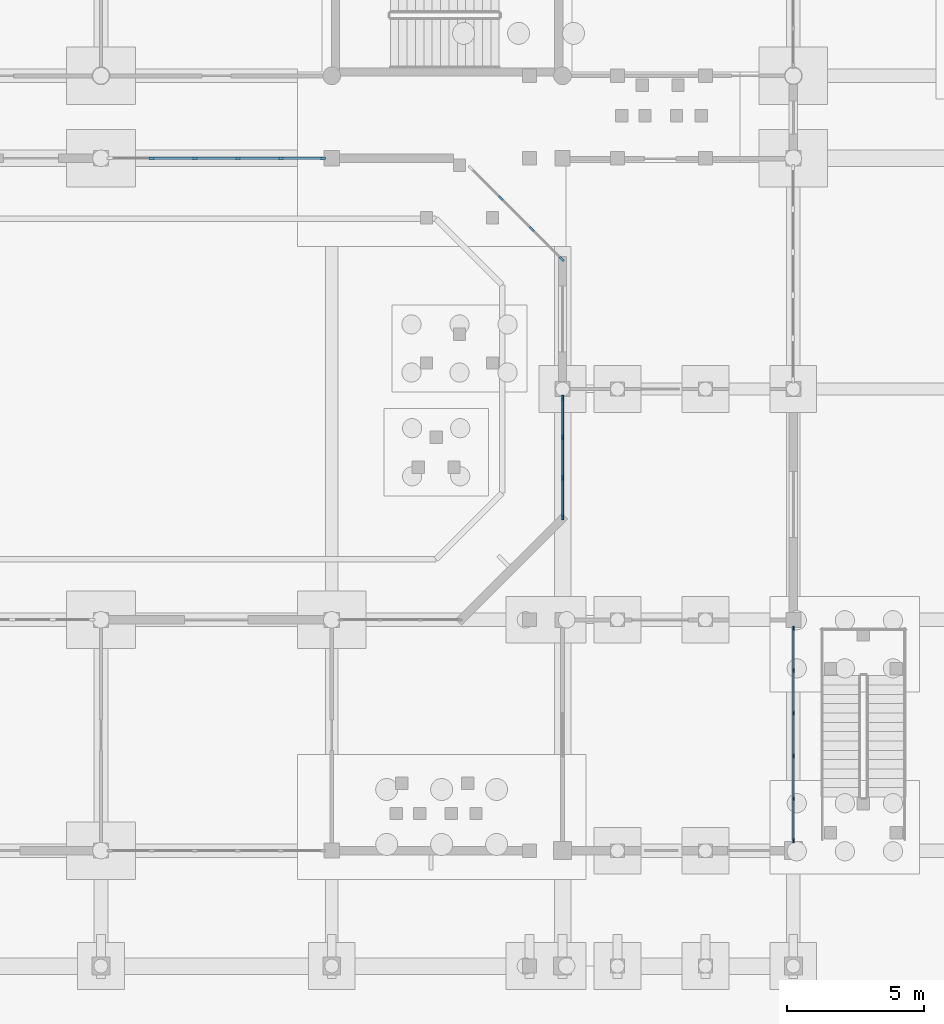
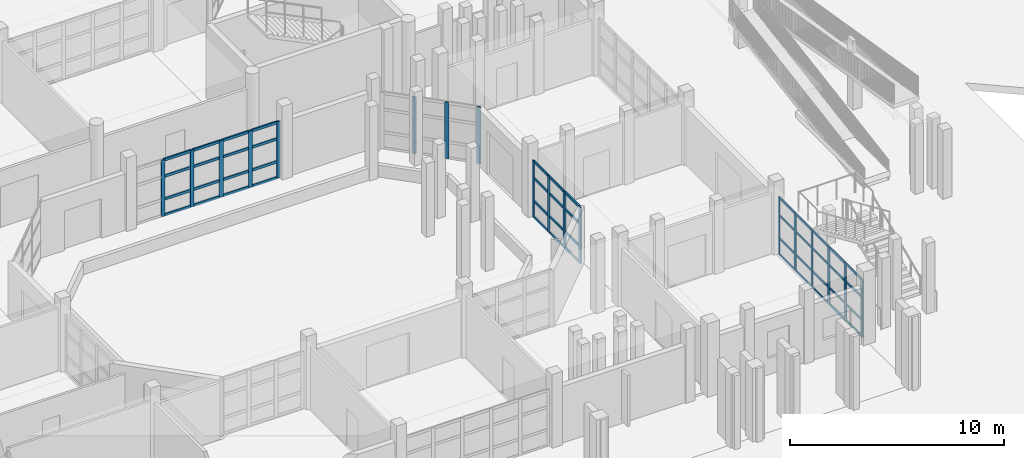
# One storey, part 23 of 88: 66 members, 4 elements without a shape of their own.
"""IFC4 building model written with IfcOpenShell, lengths in metres."""

from ifc_helpers import new_model, si_unit, direction, frame, origin, origin_2d, place, context, subcontext, project, spatial, rectangle, extrude, material, material_profile, profile_set, type_object, element, aggregate, save


model = new_model("IFC4")

# Units and contexts
model_context = context("Model", 3, precision=1e-05, world=origin(), true_north=direction((0.0, 1.0)))
body_context = subcontext(model_context, "Body", "Model", "MODEL_VIEW")
ifc_project = project(units=[si_unit("LENGTHUNIT", "METRE"), si_unit("AREAUNIT", "SQUARE_METRE"), si_unit("VOLUMEUNIT", "CUBIC_METRE"), si_unit("PLANEANGLEUNIT", "RADIAN"), si_unit("MASSUNIT", "GRAM", prefix="KILO")], contexts=[model_context])

# Site, building, storey
site_placement = place(None, origin())
site = spatial("IfcSite", under=ifc_project, at=site_placement, CompositionType="ELEMENT")
building_placement = place(site_placement, origin())
building = spatial("IfcBuilding", under=site, at=building_placement, Name="Vanh Quang Courtyard School", CompositionType="ELEMENT")
storey_placement = place(building_placement, origin())
storey = spatial("IfcBuildingStorey", under=building, at=storey_placement, Name="L00", CompositionType="ELEMENT", Elevation=0.0)

# Curtain wall, members
ifc_material_1 = material(Name="Thermally broken aluminium unitised curtain wall", Category="aluminium")
curtain_wall_type_1 = type_object("IfcCurtainWallType", Name="CW-SYS-07", PredefinedType="NOTDEFINED", material=ifc_material_1)
curtain_wall_1_placement = place(storey_placement, origin())
curtain_wall_1 = element("IfcCurtainWall", 1, at=curtain_wall_1_placement, inside=storey, type_object=curtain_wall_type_1, Name="Curtain Wall CW-07 (L00)", PredefinedType="NOTDEFINED")
ifc_material_2 = material(Name="Anodised aluminium 6063-T6", Category="aluminium")
ifc_material_profile_1 = material_profile(ifc_material_2, rectangle(XDim=0.06005859375, YDim=0.159912109375, at=origin_2d()), Name="ALU-MUL 60x160")
ifc_profile_set_1 = profile_set([ifc_material_profile_1], Name="Anodised aluminium 6063-T6")
member_type_1 = type_object("IfcMemberType", Name="CW-MUL-60x160", PredefinedType="MULLION", material=ifc_profile_set_1)
member_1_placement = place(storey_placement, frame((119.39990234375, 12.287109375, 0.0), z_axis=(0.0, 0.0, 1.0), x_axis=(1.0, 0.0, 0.0)))
member_1 = element("IfcMember", 2, at=member_1_placement, type_object=member_type_1, Name="CW-07 mullion 1", PredefinedType="MULLION", context=body_context, shape_type="SweptSolid", body=[
    extrude(rectangle(XDim=0.06005859375, YDim=0.159912109375, at=origin_2d()), origin(), (0.0, 0.0, 1.0), 3.280029296875),
])
member_2_placement = place(storey_placement, frame((119.39990234375, 10.76025390625, 0.0), z_axis=(0.0, 0.0, 1.0), x_axis=(1.0, 0.0, 0.0)))
member_2 = element("IfcMember", 3, at=member_2_placement, type_object=member_type_1, Name="CW-07 mullion 2", PredefinedType="MULLION", context=body_context, shape_type="SweptSolid", body=[
    extrude(rectangle(XDim=0.06005859375, YDim=0.159912109375, at=origin_2d()), origin(), (0.0, 0.0, 1.0), 3.280029296875),
])
member_3_placement = place(storey_placement, frame((119.39990234375, 9.203369140625, 0.0), z_axis=(0.0, 0.0, 1.0), x_axis=(1.0, 0.0, 0.0)))
member_3 = element("IfcMember", 4, at=member_3_placement, type_object=member_type_1, Name="CW-07 mullion 3", PredefinedType="MULLION", context=body_context, shape_type="SweptSolid", body=[
    extrude(rectangle(XDim=0.06005859375, YDim=0.159912109375, at=origin_2d()), origin(), (0.0, 0.0, 1.0), 3.280029296875),
])
member_4_placement = place(storey_placement, frame((119.39990234375, 7.646484375, 0.0), z_axis=(0.0, 0.0, 1.0), x_axis=(1.0, 0.0, 0.0)))
member_4 = element("IfcMember", 5, at=member_4_placement, type_object=member_type_1, Name="CW-07 mullion 4", PredefinedType="MULLION", context=body_context, shape_type="SweptSolid", body=[
    extrude(rectangle(XDim=0.06005859375, YDim=0.159912109375, at=origin_2d()), origin(), (0.0, 0.0, 1.0), 3.280029296875),
])
member_5_placement = place(storey_placement, frame((119.39990234375, 6.08984375, 0.0), z_axis=(0.0, 0.0, 1.0), x_axis=(1.0, 0.0, 0.0)))
member_5 = element("IfcMember", 6, at=member_5_placement, type_object=member_type_1, Name="CW-07 mullion 5", PredefinedType="MULLION", context=body_context, shape_type="SweptSolid", body=[
    extrude(rectangle(XDim=0.06005859375, YDim=0.159912109375, at=origin_2d()), origin(), (0.0, 0.0, 1.0), 3.280029296875),
])
member_6_placement = place(storey_placement, frame((119.39990234375, 4.56298828125, 0.0), z_axis=(0.0, 0.0, 1.0), x_axis=(1.0, 0.0, 0.0)))
member_6 = element("IfcMember", 7, at=member_6_placement, type_object=member_type_1, Name="CW-07 mullion 6", PredefinedType="MULLION", context=body_context, shape_type="SweptSolid", body=[
    extrude(rectangle(XDim=0.06005859375, YDim=0.159912109375, at=origin_2d()), origin(), (0.0, 0.0, 1.0), 3.280029296875),
])

curtain_wall_type_2 = type_object("IfcCurtainWallType", Name="CW-SYS-10", PredefinedType="NOTDEFINED", material=ifc_material_1)
curtain_wall_2_placement = place(storey_placement, origin())
curtain_wall_2 = element("IfcCurtainWall", 8, at=curtain_wall_2_placement, inside=storey, type_object=curtain_wall_type_2, Name="Curtain Wall CW-10 (L00)", PredefinedType="NOTDEFINED")
ifc_material_profile_2 = material_profile(ifc_material_2, rectangle(XDim=0.070068359375, YDim=0.179931640625, at=origin_2d()), Name="ALU-MUL 70x180")
ifc_profile_set_2 = profile_set([ifc_material_profile_2], Name="Anodised aluminium 6063-T6")
member_type_2 = type_object("IfcMemberType", Name="CW-MUL-70x180", PredefinedType="MULLION", material=ifc_profile_set_2)
member_7_placement = place(storey_placement, frame((111.0, 16.3310546875, 0.0), z_axis=(0.0, 0.0, 1.0), x_axis=(-1.0, 0.0, 0.0)))
member_7 = element("IfcMember", 9, at=member_7_placement, type_object=member_type_2, Name="CW-10 mullion 1", PredefinedType="MULLION", context=body_context, shape_type="SweptSolid", body=[
    extrude(rectangle(XDim=0.070068359375, YDim=0.179931640625, at=origin_2d()), origin(), (0.0, 0.0, 1.0), 3.219970703125),
])
member_8_placement = place(storey_placement, frame((111.0, 17.769775390625, 0.0), z_axis=(0.0, 0.0, 1.0), x_axis=(-1.0, 0.0, 0.0)))
member_8 = element("IfcMember", 10, at=member_8_placement, type_object=member_type_2, Name="CW-10 mullion 2", PredefinedType="MULLION", context=body_context, shape_type="SweptSolid", body=[
    extrude(rectangle(XDim=0.070068359375, YDim=0.179931640625, at=origin_2d()), origin(), (0.0, 0.0, 1.0), 3.219970703125),
])
member_9_placement = place(storey_placement, frame((111.0, 19.243408203125, 0.0), z_axis=(0.0, 0.0, 1.0), x_axis=(-1.0, 0.0, 0.0)))
member_9 = element("IfcMember", 11, at=member_9_placement, type_object=member_type_2, Name="CW-10 mullion 3", PredefinedType="MULLION", context=body_context, shape_type="SweptSolid", body=[
    extrude(rectangle(XDim=0.070068359375, YDim=0.179931640625, at=origin_2d()), origin(), (0.0, 0.0, 1.0), 3.219970703125),
])
member_10_placement = place(storey_placement, frame((111.0, 20.681884765625, 0.0), z_axis=(0.0, 0.0, 1.0), x_axis=(-1.0, 0.0, 0.0)))
member_10 = element("IfcMember", 12, at=member_10_placement, type_object=member_type_2, Name="CW-10 mullion 4", PredefinedType="MULLION", context=body_context, shape_type="SweptSolid", body=[
    extrude(rectangle(XDim=0.070068359375, YDim=0.179931640625, at=origin_2d()), origin(), (0.0, 0.0, 1.0), 3.219970703125),
])

curtain_wall_type_3 = type_object("IfcCurtainWallType", Name="CW-SYS-01", PredefinedType="NOTDEFINED", material=ifc_material_1)
curtain_wall_3_placement = place(storey_placement, origin())
curtain_wall_3 = element("IfcCurtainWall", 13, at=curtain_wall_3_placement, inside=storey, type_object=curtain_wall_type_3, Name="Curtain Wall CW-01 (L00)", PredefinedType="NOTDEFINED")
ifc_material_profile_3 = material_profile(ifc_material_2, rectangle(XDim=0.080078125, YDim=0.199951171875, at=origin_2d()), Name="ALU-MUL 80x200")
ifc_profile_set_3 = profile_set([ifc_material_profile_3], Name="Anodised aluminium 6063-T6")
member_type_3 = type_object("IfcMemberType", Name="CW-MUL-80x200", PredefinedType="MULLION", material=ifc_profile_set_3)
member_11_placement = place(storey_placement, frame((102.277099609375, 29.39990234375, 0.0), z_axis=(0.0, 0.0, 1.0), x_axis=(0.0, -1.0, 0.0)))
member_11 = element("IfcMember", 14, at=member_11_placement, type_object=member_type_3, Name="CW-01 mullion 1", PredefinedType="MULLION", context=body_context, shape_type="SweptSolid", body=[
    extrude(rectangle(XDim=0.080078125, YDim=0.199951171875, at=origin_2d()), origin(), (0.0, 0.0, 1.0), 3.219970703125),
])
member_12_placement = place(storey_placement, frame((100.750244140625, 29.39990234375, 0.0), z_axis=(0.0, 0.0, 1.0), x_axis=(0.0, -1.0, 0.0)))
member_12 = element("IfcMember", 15, at=member_12_placement, type_object=member_type_3, Name="CW-01 mullion 2", PredefinedType="MULLION", context=body_context, shape_type="SweptSolid", body=[
    extrude(rectangle(XDim=0.080078125, YDim=0.199951171875, at=origin_2d()), origin(), (0.0, 0.0, 1.0), 3.219970703125),
])
member_13_placement = place(storey_placement, frame((99.183349609375, 29.39990234375, 0.0), z_axis=(0.0, 0.0, 1.0), x_axis=(0.0, -1.0, 0.0)))
member_13 = element("IfcMember", 16, at=member_13_placement, type_object=member_type_3, Name="CW-01 mullion 3", PredefinedType="MULLION", context=body_context, shape_type="SweptSolid", body=[
    extrude(rectangle(XDim=0.080078125, YDim=0.199951171875, at=origin_2d()), origin(), (0.0, 0.0, 1.0), 3.219970703125),
])
member_14_placement = place(storey_placement, frame((97.61669921875, 29.39990234375, 0.0), z_axis=(0.0, 0.0, 1.0), x_axis=(0.0, -1.0, 0.0)))
member_14 = element("IfcMember", 17, at=member_14_placement, type_object=member_type_3, Name="CW-01 mullion 4", PredefinedType="MULLION", context=body_context, shape_type="SweptSolid", body=[
    extrude(rectangle(XDim=0.080078125, YDim=0.199951171875, at=origin_2d()), origin(), (0.0, 0.0, 1.0), 3.219970703125),
])
member_15_placement = place(storey_placement, frame((96.0498046875, 29.39990234375, 0.0), z_axis=(0.0, 0.0, 1.0), x_axis=(0.0, -1.0, 0.0)))
member_15 = element("IfcMember", 18, at=member_15_placement, type_object=member_type_3, Name="CW-01 mullion 5", PredefinedType="MULLION", context=body_context, shape_type="SweptSolid", body=[
    extrude(rectangle(XDim=0.080078125, YDim=0.199951171875, at=origin_2d()), origin(), (0.0, 0.0, 1.0), 3.219970703125),
])

curtain_wall_type_4 = type_object("IfcCurtainWallType", Name="CW-SYS-11", PredefinedType="NOTDEFINED", material=ifc_material_1)
curtain_wall_4_placement = place(storey_placement, origin())
curtain_wall_4 = element("IfcCurtainWall", 19, at=curtain_wall_4_placement, inside=storey, type_object=curtain_wall_type_4, Name="Curtain Wall CW-11 (L00)", PredefinedType="NOTDEFINED")
member_16_placement = place(storey_placement, frame((110.9716796875, 25.732177734375, 0.0), z_axis=(0.0, 0.0, 1.0), x_axis=(-0.707106781187, -0.707106781187, 0.0)))
member_16 = element("IfcMember", 20, at=member_16_placement, type_object=member_type_3, Name="CW-11 mullion 1", PredefinedType="MULLION", context=body_context, shape_type="SweptSolid", body=[
    extrude(rectangle(XDim=0.080078125, YDim=0.199951171875, at=origin_2d()), origin(), (0.0, 0.0, 1.0), 3.219970703125),
])
member_17_placement = place(storey_placement, frame((109.877685546875, 26.826416015625, 0.0), z_axis=(0.0, 0.0, 1.0), x_axis=(-0.707106781187, -0.707106781187, 0.0)))
member_17 = element("IfcMember", 21, at=member_17_placement, type_object=member_type_3, Name="CW-11 mullion 2", PredefinedType="MULLION", context=body_context, shape_type="SweptSolid", body=[
    extrude(rectangle(XDim=0.080078125, YDim=0.199951171875, at=origin_2d()), origin(), (0.0, 0.0, 1.0), 3.219970703125),
])
member_18_placement = place(storey_placement, frame((108.755126953125, 27.948974609375, 0.0), z_axis=(0.0, 0.0, 1.0), x_axis=(-0.707106781187, -0.707106781187, 0.0)))
member_18 = element("IfcMember", 22, at=member_18_placement, type_object=member_type_3, Name="CW-11 mullion 3", PredefinedType="MULLION", context=body_context, shape_type="SweptSolid", body=[
    extrude(rectangle(XDim=0.080078125, YDim=0.199951171875, at=origin_2d()), origin(), (0.0, 0.0, 1.0), 3.219970703125),
])
aggregate(curtain_wall_4, [member_16, member_17, member_18])

# Member
ifc_material_profile_4 = material_profile(ifc_material_2, rectangle(XDim=0.06005859375, YDim=0.1201171875, at=origin_2d()), Name="ALU-TRN 60x120")
ifc_profile_set_4 = profile_set([ifc_material_profile_4], Name="Anodised aluminium 6063-T6")
member_type_4 = type_object("IfcMemberType", Name="CW-TRN-60x120", PredefinedType="USERDEFINED", material=ifc_profile_set_4)
member_19_placement = place(storey_placement, frame((119.39990234375, 12.257080078125, 0.030029296875), z_axis=(0.0, -1.0, 0.0), x_axis=(1.0, 0.0, 0.0)))
member_19 = element("IfcMember", 23, at=member_19_placement, type_object=member_type_4, Name="CW-07 transom 1.1", ObjectType="TRANSOM", PredefinedType="USERDEFINED", context=body_context, shape_type="SweptSolid", body=[
    extrude(rectangle(XDim=0.06005859375, YDim=0.1201171875, at=origin_2d()), origin(), (0.0, 0.0, 1.0), 1.466796875),
])

member_20_placement = place(storey_placement, frame((119.39990234375, 12.257080078125, 0.949951171875), z_axis=(0.0, -1.0, 0.0), x_axis=(1.0, 0.0, 0.0)))
member_20 = element("IfcMember", 24, at=member_20_placement, type_object=member_type_4, Name="CW-07 transom 1.2", ObjectType="TRANSOM", PredefinedType="USERDEFINED", context=body_context, shape_type="SweptSolid", body=[
    extrude(rectangle(XDim=0.06005859375, YDim=0.1201171875, at=origin_2d()), origin(), (0.0, 0.0, 1.0), 1.466796875),
])

member_21_placement = place(storey_placement, frame((119.39990234375, 12.257080078125, 2.25), z_axis=(0.0, -1.0, 0.0), x_axis=(1.0, 0.0, 0.0)))
member_21 = element("IfcMember", 25, at=member_21_placement, type_object=member_type_4, Name="CW-07 transom 1.3", ObjectType="TRANSOM", PredefinedType="USERDEFINED", context=body_context, shape_type="SweptSolid", body=[
    extrude(rectangle(XDim=0.06005859375, YDim=0.1201171875, at=origin_2d()), origin(), (0.0, 0.0, 1.0), 1.466796875),
])

member_22_placement = place(storey_placement, frame((119.39990234375, 12.257080078125, 3.25), z_axis=(0.0, -1.0, 0.0), x_axis=(1.0, 0.0, 0.0)))
member_22 = element("IfcMember", 26, at=member_22_placement, type_object=member_type_4, Name="CW-07 transom 1.4", ObjectType="TRANSOM", PredefinedType="USERDEFINED", context=body_context, shape_type="SweptSolid", body=[
    extrude(rectangle(XDim=0.06005859375, YDim=0.1201171875, at=origin_2d()), origin(), (0.0, 0.0, 1.0), 1.466796875),
])

member_23_placement = place(storey_placement, frame((119.39990234375, 10.730224609375, 0.030029296875), z_axis=(0.0, -1.0, 0.0), x_axis=(1.0, 0.0, 0.0)))
member_23 = element("IfcMember", 27, at=member_23_placement, type_object=member_type_4, Name="CW-07 transom 2.1", ObjectType="TRANSOM", PredefinedType="USERDEFINED", context=body_context, shape_type="SweptSolid", body=[
    extrude(rectangle(XDim=0.06005859375, YDim=0.1201171875, at=origin_2d()), origin(), (0.0, 0.0, 1.0), 1.496826171875),
])

member_24_placement = place(storey_placement, frame((119.39990234375, 10.730224609375, 0.949951171875), z_axis=(0.0, -1.0, 0.0), x_axis=(1.0, 0.0, 0.0)))
member_24 = element("IfcMember", 28, at=member_24_placement, type_object=member_type_4, Name="CW-07 transom 2.2", ObjectType="TRANSOM", PredefinedType="USERDEFINED", context=body_context, shape_type="SweptSolid", body=[
    extrude(rectangle(XDim=0.06005859375, YDim=0.1201171875, at=origin_2d()), origin(), (0.0, 0.0, 1.0), 1.496826171875),
])

member_25_placement = place(storey_placement, frame((119.39990234375, 10.730224609375, 2.25), z_axis=(0.0, -1.0, 0.0), x_axis=(1.0, 0.0, 0.0)))
member_25 = element("IfcMember", 29, at=member_25_placement, type_object=member_type_4, Name="CW-07 transom 2.3", ObjectType="TRANSOM", PredefinedType="USERDEFINED", context=body_context, shape_type="SweptSolid", body=[
    extrude(rectangle(XDim=0.06005859375, YDim=0.1201171875, at=origin_2d()), origin(), (0.0, 0.0, 1.0), 1.496826171875),
])

member_26_placement = place(storey_placement, frame((119.39990234375, 10.730224609375, 3.25), z_axis=(0.0, -1.0, 0.0), x_axis=(1.0, 0.0, 0.0)))
member_26 = element("IfcMember", 30, at=member_26_placement, type_object=member_type_4, Name="CW-07 transom 2.4", ObjectType="TRANSOM", PredefinedType="USERDEFINED", context=body_context, shape_type="SweptSolid", body=[
    extrude(rectangle(XDim=0.06005859375, YDim=0.1201171875, at=origin_2d()), origin(), (0.0, 0.0, 1.0), 1.496826171875),
])

member_27_placement = place(storey_placement, frame((119.39990234375, 9.17333984375, 0.030029296875), z_axis=(0.0, -1.0, 0.0), x_axis=(1.0, 0.0, 0.0)))
member_27 = element("IfcMember", 31, at=member_27_placement, type_object=member_type_4, Name="CW-07 transom 3.1", ObjectType="TRANSOM", PredefinedType="USERDEFINED", context=body_context, shape_type="SweptSolid", body=[
    extrude(rectangle(XDim=0.06005859375, YDim=0.1201171875, at=origin_2d()), origin(), (0.0, 0.0, 1.0), 1.496826171875),
])

member_28_placement = place(storey_placement, frame((119.39990234375, 9.17333984375, 0.949951171875), z_axis=(0.0, -1.0, 0.0), x_axis=(1.0, 0.0, 0.0)))
member_28 = element("IfcMember", 32, at=member_28_placement, type_object=member_type_4, Name="CW-07 transom 3.2", ObjectType="TRANSOM", PredefinedType="USERDEFINED", context=body_context, shape_type="SweptSolid", body=[
    extrude(rectangle(XDim=0.06005859375, YDim=0.1201171875, at=origin_2d()), origin(), (0.0, 0.0, 1.0), 1.496826171875),
])

member_29_placement = place(storey_placement, frame((119.39990234375, 9.17333984375, 2.25), z_axis=(0.0, -1.0, 0.0), x_axis=(1.0, 0.0, 0.0)))
member_29 = element("IfcMember", 33, at=member_29_placement, type_object=member_type_4, Name="CW-07 transom 3.3", ObjectType="TRANSOM", PredefinedType="USERDEFINED", context=body_context, shape_type="SweptSolid", body=[
    extrude(rectangle(XDim=0.06005859375, YDim=0.1201171875, at=origin_2d()), origin(), (0.0, 0.0, 1.0), 1.496826171875),
])

member_30_placement = place(storey_placement, frame((119.39990234375, 9.17333984375, 3.25), z_axis=(0.0, -1.0, 0.0), x_axis=(1.0, 0.0, 0.0)))
member_30 = element("IfcMember", 34, at=member_30_placement, type_object=member_type_4, Name="CW-07 transom 3.4", ObjectType="TRANSOM", PredefinedType="USERDEFINED", context=body_context, shape_type="SweptSolid", body=[
    extrude(rectangle(XDim=0.06005859375, YDim=0.1201171875, at=origin_2d()), origin(), (0.0, 0.0, 1.0), 1.496826171875),
])

member_31_placement = place(storey_placement, frame((119.39990234375, 7.61669921875, 0.030029296875), z_axis=(0.0, -1.0, 0.0), x_axis=(1.0, 0.0, 0.0)))
member_31 = element("IfcMember", 35, at=member_31_placement, type_object=member_type_4, Name="CW-07 transom 4.1", ObjectType="TRANSOM", PredefinedType="USERDEFINED", context=body_context, shape_type="SweptSolid", body=[
    extrude(rectangle(XDim=0.06005859375, YDim=0.1201171875, at=origin_2d()), origin(), (0.0, 0.0, 1.0), 1.496826171875),
])

member_32_placement = place(storey_placement, frame((119.39990234375, 7.61669921875, 0.949951171875), z_axis=(0.0, -1.0, 0.0), x_axis=(1.0, 0.0, 0.0)))
member_32 = element("IfcMember", 36, at=member_32_placement, type_object=member_type_4, Name="CW-07 transom 4.2", ObjectType="TRANSOM", PredefinedType="USERDEFINED", context=body_context, shape_type="SweptSolid", body=[
    extrude(rectangle(XDim=0.06005859375, YDim=0.1201171875, at=origin_2d()), origin(), (0.0, 0.0, 1.0), 1.496826171875),
])

member_33_placement = place(storey_placement, frame((119.39990234375, 7.61669921875, 2.25), z_axis=(0.0, -1.0, 0.0), x_axis=(1.0, 0.0, 0.0)))
member_33 = element("IfcMember", 37, at=member_33_placement, type_object=member_type_4, Name="CW-07 transom 4.3", ObjectType="TRANSOM", PredefinedType="USERDEFINED", context=body_context, shape_type="SweptSolid", body=[
    extrude(rectangle(XDim=0.06005859375, YDim=0.1201171875, at=origin_2d()), origin(), (0.0, 0.0, 1.0), 1.496826171875),
])

member_34_placement = place(storey_placement, frame((119.39990234375, 7.61669921875, 3.25), z_axis=(0.0, -1.0, 0.0), x_axis=(1.0, 0.0, 0.0)))
member_34 = element("IfcMember", 38, at=member_34_placement, type_object=member_type_4, Name="CW-07 transom 4.4", ObjectType="TRANSOM", PredefinedType="USERDEFINED", context=body_context, shape_type="SweptSolid", body=[
    extrude(rectangle(XDim=0.06005859375, YDim=0.1201171875, at=origin_2d()), origin(), (0.0, 0.0, 1.0), 1.496826171875),
])

member_35_placement = place(storey_placement, frame((119.39990234375, 6.059814453125, 0.030029296875), z_axis=(0.0, -1.0, 0.0), x_axis=(1.0, 0.0, 0.0)))
member_35 = element("IfcMember", 39, at=member_35_placement, type_object=member_type_4, Name="CW-07 transom 5.1", ObjectType="TRANSOM", PredefinedType="USERDEFINED", context=body_context, shape_type="SweptSolid", body=[
    extrude(rectangle(XDim=0.06005859375, YDim=0.1201171875, at=origin_2d()), origin(), (0.0, 0.0, 1.0), 1.466796875),
])

member_36_placement = place(storey_placement, frame((119.39990234375, 6.059814453125, 0.949951171875), z_axis=(0.0, -1.0, 0.0), x_axis=(1.0, 0.0, 0.0)))
member_36 = element("IfcMember", 40, at=member_36_placement, type_object=member_type_4, Name="CW-07 transom 5.2", ObjectType="TRANSOM", PredefinedType="USERDEFINED", context=body_context, shape_type="SweptSolid", body=[
    extrude(rectangle(XDim=0.06005859375, YDim=0.1201171875, at=origin_2d()), origin(), (0.0, 0.0, 1.0), 1.466796875),
])

member_37_placement = place(storey_placement, frame((119.39990234375, 6.059814453125, 2.25), z_axis=(0.0, -1.0, 0.0), x_axis=(1.0, 0.0, 0.0)))
member_37 = element("IfcMember", 41, at=member_37_placement, type_object=member_type_4, Name="CW-07 transom 5.3", ObjectType="TRANSOM", PredefinedType="USERDEFINED", context=body_context, shape_type="SweptSolid", body=[
    extrude(rectangle(XDim=0.06005859375, YDim=0.1201171875, at=origin_2d()), origin(), (0.0, 0.0, 1.0), 1.466796875),
])

member_38_placement = place(storey_placement, frame((119.39990234375, 6.059814453125, 3.25), z_axis=(0.0, -1.0, 0.0), x_axis=(1.0, 0.0, 0.0)))
member_38 = element("IfcMember", 42, at=member_38_placement, type_object=member_type_4, Name="CW-07 transom 5.4", ObjectType="TRANSOM", PredefinedType="USERDEFINED", context=body_context, shape_type="SweptSolid", body=[
    extrude(rectangle(XDim=0.06005859375, YDim=0.1201171875, at=origin_2d()), origin(), (0.0, 0.0, 1.0), 1.466796875),
])

aggregate(curtain_wall_1, [member_1, member_2, member_3, member_4, member_5, member_6, member_19, member_20, member_21, member_22, member_23, member_24, member_25, member_26, member_27, member_28, member_29, member_30, member_31, member_32, member_33, member_34, member_35, member_36, member_37, member_38])

ifc_material_profile_5 = material_profile(ifc_material_2, rectangle(XDim=0.070068359375, YDim=0.139892578125, at=origin_2d()), Name="ALU-TRN 70x140")
ifc_profile_set_5 = profile_set([ifc_material_profile_5], Name="Anodised aluminium 6063-T6")
member_type_5 = type_object("IfcMemberType", Name="CW-TRN-70x140", PredefinedType="USERDEFINED", material=ifc_profile_set_5)
member_39_placement = place(storey_placement, frame((111.0, 16.365966796875, 0.034912109375), z_axis=(0.0, 1.0, 0.0), x_axis=(-1.0, 0.0, 0.0)))
member_39 = element("IfcMember", 43, at=member_39_placement, type_object=member_type_5, Name="CW-10 transom 1.1", ObjectType="TRANSOM", PredefinedType="USERDEFINED", context=body_context, shape_type="SweptSolid", body=[
    extrude(rectangle(XDim=0.070068359375, YDim=0.139892578125, at=origin_2d()), origin(), (0.0, 0.0, 1.0), 1.36865234375),
])

member_40_placement = place(storey_placement, frame((111.0, 16.365966796875, 0.949951171875), z_axis=(0.0, 1.0, 0.0), x_axis=(-1.0, 0.0, 0.0)))
member_40 = element("IfcMember", 44, at=member_40_placement, type_object=member_type_5, Name="CW-10 transom 1.2", ObjectType="TRANSOM", PredefinedType="USERDEFINED", context=body_context, shape_type="SweptSolid", body=[
    extrude(rectangle(XDim=0.070068359375, YDim=0.139892578125, at=origin_2d()), origin(), (0.0, 0.0, 1.0), 1.36865234375),
])

member_41_placement = place(storey_placement, frame((111.0, 16.365966796875, 2.25), z_axis=(0.0, 1.0, 0.0), x_axis=(-1.0, 0.0, 0.0)))
member_41 = element("IfcMember", 45, at=member_41_placement, type_object=member_type_5, Name="CW-10 transom 1.3", ObjectType="TRANSOM", PredefinedType="USERDEFINED", context=body_context, shape_type="SweptSolid", body=[
    extrude(rectangle(XDim=0.070068359375, YDim=0.139892578125, at=origin_2d()), origin(), (0.0, 0.0, 1.0), 1.36865234375),
])

member_42_placement = place(storey_placement, frame((111.0, 16.365966796875, 3.18505859375), z_axis=(0.0, 1.0, 0.0), x_axis=(-1.0, 0.0, 0.0)))
member_42 = element("IfcMember", 46, at=member_42_placement, type_object=member_type_5, Name="CW-10 transom 1.4", ObjectType="TRANSOM", PredefinedType="USERDEFINED", context=body_context, shape_type="SweptSolid", body=[
    extrude(rectangle(XDim=0.070068359375, YDim=0.139892578125, at=origin_2d()), origin(), (0.0, 0.0, 1.0), 1.36865234375),
])

member_43_placement = place(storey_placement, frame((111.0, 17.8046875, 0.034912109375), z_axis=(0.0, 1.0, 0.0), x_axis=(-1.0, 0.0, 0.0)))
member_43 = element("IfcMember", 47, at=member_43_placement, type_object=member_type_5, Name="CW-10 transom 2.1", ObjectType="TRANSOM", PredefinedType="USERDEFINED", context=body_context, shape_type="SweptSolid", body=[
    extrude(rectangle(XDim=0.070068359375, YDim=0.139892578125, at=origin_2d()), origin(), (0.0, 0.0, 1.0), 1.403564453125),
])

member_44_placement = place(storey_placement, frame((111.0, 17.8046875, 0.949951171875), z_axis=(0.0, 1.0, 0.0), x_axis=(-1.0, 0.0, 0.0)))
member_44 = element("IfcMember", 48, at=member_44_placement, type_object=member_type_5, Name="CW-10 transom 2.2", ObjectType="TRANSOM", PredefinedType="USERDEFINED", context=body_context, shape_type="SweptSolid", body=[
    extrude(rectangle(XDim=0.070068359375, YDim=0.139892578125, at=origin_2d()), origin(), (0.0, 0.0, 1.0), 1.403564453125),
])

member_45_placement = place(storey_placement, frame((111.0, 17.8046875, 2.25), z_axis=(0.0, 1.0, 0.0), x_axis=(-1.0, 0.0, 0.0)))
member_45 = element("IfcMember", 49, at=member_45_placement, type_object=member_type_5, Name="CW-10 transom 2.3", ObjectType="TRANSOM", PredefinedType="USERDEFINED", context=body_context, shape_type="SweptSolid", body=[
    extrude(rectangle(XDim=0.070068359375, YDim=0.139892578125, at=origin_2d()), origin(), (0.0, 0.0, 1.0), 1.403564453125),
])

member_46_placement = place(storey_placement, frame((111.0, 17.8046875, 3.18505859375), z_axis=(0.0, 1.0, 0.0), x_axis=(-1.0, 0.0, 0.0)))
member_46 = element("IfcMember", 50, at=member_46_placement, type_object=member_type_5, Name="CW-10 transom 2.4", ObjectType="TRANSOM", PredefinedType="USERDEFINED", context=body_context, shape_type="SweptSolid", body=[
    extrude(rectangle(XDim=0.070068359375, YDim=0.139892578125, at=origin_2d()), origin(), (0.0, 0.0, 1.0), 1.403564453125),
])

member_47_placement = place(storey_placement, frame((111.0, 19.2783203125, 0.034912109375), z_axis=(0.0, 1.0, 0.0), x_axis=(-1.0, 0.0, 0.0)))
member_47 = element("IfcMember", 51, at=member_47_placement, type_object=member_type_5, Name="CW-10 transom 3.1", ObjectType="TRANSOM", PredefinedType="USERDEFINED", context=body_context, shape_type="SweptSolid", body=[
    extrude(rectangle(XDim=0.070068359375, YDim=0.139892578125, at=origin_2d()), origin(), (0.0, 0.0, 1.0), 1.36865234375),
])

member_48_placement = place(storey_placement, frame((111.0, 19.2783203125, 0.949951171875), z_axis=(0.0, 1.0, 0.0), x_axis=(-1.0, 0.0, 0.0)))
member_48 = element("IfcMember", 52, at=member_48_placement, type_object=member_type_5, Name="CW-10 transom 3.2", ObjectType="TRANSOM", PredefinedType="USERDEFINED", context=body_context, shape_type="SweptSolid", body=[
    extrude(rectangle(XDim=0.070068359375, YDim=0.139892578125, at=origin_2d()), origin(), (0.0, 0.0, 1.0), 1.36865234375),
])

member_49_placement = place(storey_placement, frame((111.0, 19.2783203125, 2.25), z_axis=(0.0, 1.0, 0.0), x_axis=(-1.0, 0.0, 0.0)))
member_49 = element("IfcMember", 53, at=member_49_placement, type_object=member_type_5, Name="CW-10 transom 3.3", ObjectType="TRANSOM", PredefinedType="USERDEFINED", context=body_context, shape_type="SweptSolid", body=[
    extrude(rectangle(XDim=0.070068359375, YDim=0.139892578125, at=origin_2d()), origin(), (0.0, 0.0, 1.0), 1.36865234375),
])

member_50_placement = place(storey_placement, frame((111.0, 19.2783203125, 3.18505859375), z_axis=(0.0, 1.0, 0.0), x_axis=(-1.0, 0.0, 0.0)))
member_50 = element("IfcMember", 54, at=member_50_placement, type_object=member_type_5, Name="CW-10 transom 3.4", ObjectType="TRANSOM", PredefinedType="USERDEFINED", context=body_context, shape_type="SweptSolid", body=[
    extrude(rectangle(XDim=0.070068359375, YDim=0.139892578125, at=origin_2d()), origin(), (0.0, 0.0, 1.0), 1.36865234375),
])

aggregate(curtain_wall_2, [member_7, member_8, member_9, member_10, member_39, member_40, member_41, member_42, member_43, member_44, member_45, member_46, member_47, member_48, member_49, member_50])

ifc_material_profile_6 = material_profile(ifc_material_2, rectangle(XDim=0.080078125, YDim=0.14990234375, at=origin_2d()), Name="ALU-TRN 80x150")
ifc_profile_set_6 = profile_set([ifc_material_profile_6], Name="Anodised aluminium 6063-T6")
member_type_6 = type_object("IfcMemberType", Name="CW-TRN-80x150", PredefinedType="USERDEFINED", material=ifc_profile_set_6)
member_51_placement = place(storey_placement, frame((102.237060546875, 29.39990234375, 0.0400390625), z_axis=(-1.0, 0.0, 0.0), x_axis=(0.0, -1.0, 0.0)))
member_51 = element("IfcMember", 55, at=member_51_placement, type_object=member_type_6, Name="CW-01 transom 1.1", ObjectType="TRANSOM", PredefinedType="USERDEFINED", context=body_context, shape_type="SweptSolid", body=[
    extrude(rectangle(XDim=0.080078125, YDim=0.14990234375, at=origin_2d()), origin(), (0.0, 0.0, 1.0), 1.44677734375),
])

member_52_placement = place(storey_placement, frame((102.237060546875, 29.39990234375, 0.949951171875), z_axis=(-1.0, 0.0, 0.0), x_axis=(0.0, -1.0, 0.0)))
member_52 = element("IfcMember", 56, at=member_52_placement, type_object=member_type_6, Name="CW-01 transom 1.2", ObjectType="TRANSOM", PredefinedType="USERDEFINED", context=body_context, shape_type="SweptSolid", body=[
    extrude(rectangle(XDim=0.080078125, YDim=0.14990234375, at=origin_2d()), origin(), (0.0, 0.0, 1.0), 1.44677734375),
])

member_53_placement = place(storey_placement, frame((102.237060546875, 29.39990234375, 2.25), z_axis=(-1.0, 0.0, 0.0), x_axis=(0.0, -1.0, 0.0)))
member_53 = element("IfcMember", 57, at=member_53_placement, type_object=member_type_6, Name="CW-01 transom 1.3", ObjectType="TRANSOM", PredefinedType="USERDEFINED", context=body_context, shape_type="SweptSolid", body=[
    extrude(rectangle(XDim=0.080078125, YDim=0.14990234375, at=origin_2d()), origin(), (0.0, 0.0, 1.0), 1.44677734375),
])

member_54_placement = place(storey_placement, frame((102.237060546875, 29.39990234375, 3.179931640625), z_axis=(-1.0, 0.0, 0.0), x_axis=(0.0, -1.0, 0.0)))
member_54 = element("IfcMember", 58, at=member_54_placement, type_object=member_type_6, Name="CW-01 transom 1.4", ObjectType="TRANSOM", PredefinedType="USERDEFINED", context=body_context, shape_type="SweptSolid", body=[
    extrude(rectangle(XDim=0.080078125, YDim=0.14990234375, at=origin_2d()), origin(), (0.0, 0.0, 1.0), 1.44677734375),
])

member_55_placement = place(storey_placement, frame((100.710205078125, 29.39990234375, 0.0400390625), z_axis=(-1.0, 0.0, 0.0), x_axis=(0.0, -1.0, 0.0)))
member_55 = element("IfcMember", 59, at=member_55_placement, type_object=member_type_6, Name="CW-01 transom 2.1", ObjectType="TRANSOM", PredefinedType="USERDEFINED", context=body_context, shape_type="SweptSolid", body=[
    extrude(rectangle(XDim=0.080078125, YDim=0.14990234375, at=origin_2d()), origin(), (0.0, 0.0, 1.0), 1.48681640625),
])

member_56_placement = place(storey_placement, frame((100.710205078125, 29.39990234375, 0.949951171875), z_axis=(-1.0, 0.0, 0.0), x_axis=(0.0, -1.0, 0.0)))
member_56 = element("IfcMember", 60, at=member_56_placement, type_object=member_type_6, Name="CW-01 transom 2.2", ObjectType="TRANSOM", PredefinedType="USERDEFINED", context=body_context, shape_type="SweptSolid", body=[
    extrude(rectangle(XDim=0.080078125, YDim=0.14990234375, at=origin_2d()), origin(), (0.0, 0.0, 1.0), 1.48681640625),
])

member_57_placement = place(storey_placement, frame((100.710205078125, 29.39990234375, 2.25), z_axis=(-1.0, 0.0, 0.0), x_axis=(0.0, -1.0, 0.0)))
member_57 = element("IfcMember", 61, at=member_57_placement, type_object=member_type_6, Name="CW-01 transom 2.3", ObjectType="TRANSOM", PredefinedType="USERDEFINED", context=body_context, shape_type="SweptSolid", body=[
    extrude(rectangle(XDim=0.080078125, YDim=0.14990234375, at=origin_2d()), origin(), (0.0, 0.0, 1.0), 1.48681640625),
])

member_58_placement = place(storey_placement, frame((100.710205078125, 29.39990234375, 3.179931640625), z_axis=(-1.0, 0.0, 0.0), x_axis=(0.0, -1.0, 0.0)))
member_58 = element("IfcMember", 62, at=member_58_placement, type_object=member_type_6, Name="CW-01 transom 2.4", ObjectType="TRANSOM", PredefinedType="USERDEFINED", context=body_context, shape_type="SweptSolid", body=[
    extrude(rectangle(XDim=0.080078125, YDim=0.14990234375, at=origin_2d()), origin(), (0.0, 0.0, 1.0), 1.48681640625),
])

member_59_placement = place(storey_placement, frame((99.143310546875, 29.39990234375, 0.0400390625), z_axis=(-1.0, 0.0, 0.0), x_axis=(0.0, -1.0, 0.0)))
member_59 = element("IfcMember", 63, at=member_59_placement, type_object=member_type_6, Name="CW-01 transom 3.1", ObjectType="TRANSOM", PredefinedType="USERDEFINED", context=body_context, shape_type="SweptSolid", body=[
    extrude(rectangle(XDim=0.080078125, YDim=0.14990234375, at=origin_2d()), origin(), (0.0, 0.0, 1.0), 1.48681640625),
])

member_60_placement = place(storey_placement, frame((99.143310546875, 29.39990234375, 0.949951171875), z_axis=(-1.0, 0.0, 0.0), x_axis=(0.0, -1.0, 0.0)))
member_60 = element("IfcMember", 64, at=member_60_placement, type_object=member_type_6, Name="CW-01 transom 3.2", ObjectType="TRANSOM", PredefinedType="USERDEFINED", context=body_context, shape_type="SweptSolid", body=[
    extrude(rectangle(XDim=0.080078125, YDim=0.14990234375, at=origin_2d()), origin(), (0.0, 0.0, 1.0), 1.48681640625),
])

member_61_placement = place(storey_placement, frame((99.143310546875, 29.39990234375, 2.25), z_axis=(-1.0, 0.0, 0.0), x_axis=(0.0, -1.0, 0.0)))
member_61 = element("IfcMember", 65, at=member_61_placement, type_object=member_type_6, Name="CW-01 transom 3.3", ObjectType="TRANSOM", PredefinedType="USERDEFINED", context=body_context, shape_type="SweptSolid", body=[
    extrude(rectangle(XDim=0.080078125, YDim=0.14990234375, at=origin_2d()), origin(), (0.0, 0.0, 1.0), 1.48681640625),
])

member_62_placement = place(storey_placement, frame((99.143310546875, 29.39990234375, 3.179931640625), z_axis=(-1.0, 0.0, 0.0), x_axis=(0.0, -1.0, 0.0)))
member_62 = element("IfcMember", 66, at=member_62_placement, type_object=member_type_6, Name="CW-01 transom 3.4", ObjectType="TRANSOM", PredefinedType="USERDEFINED", context=body_context, shape_type="SweptSolid", body=[
    extrude(rectangle(XDim=0.080078125, YDim=0.14990234375, at=origin_2d()), origin(), (0.0, 0.0, 1.0), 1.48681640625),
])

member_63_placement = place(storey_placement, frame((97.57666015625, 29.39990234375, 0.0400390625), z_axis=(-1.0, 0.0, 0.0), x_axis=(0.0, -1.0, 0.0)))
member_63 = element("IfcMember", 67, at=member_63_placement, type_object=member_type_6, Name="CW-01 transom 4.1", ObjectType="TRANSOM", PredefinedType="USERDEFINED", context=body_context, shape_type="SweptSolid", body=[
    extrude(rectangle(XDim=0.080078125, YDim=0.14990234375, at=origin_2d()), origin(), (0.0, 0.0, 1.0), 1.48681640625),
])

member_64_placement = place(storey_placement, frame((97.57666015625, 29.39990234375, 0.949951171875), z_axis=(-1.0, 0.0, 0.0), x_axis=(0.0, -1.0, 0.0)))
member_64 = element("IfcMember", 68, at=member_64_placement, type_object=member_type_6, Name="CW-01 transom 4.2", ObjectType="TRANSOM", PredefinedType="USERDEFINED", context=body_context, shape_type="SweptSolid", body=[
    extrude(rectangle(XDim=0.080078125, YDim=0.14990234375, at=origin_2d()), origin(), (0.0, 0.0, 1.0), 1.48681640625),
])

member_65_placement = place(storey_placement, frame((97.57666015625, 29.39990234375, 2.25), z_axis=(-1.0, 0.0, 0.0), x_axis=(0.0, -1.0, 0.0)))
member_65 = element("IfcMember", 69, at=member_65_placement, type_object=member_type_6, Name="CW-01 transom 4.3", ObjectType="TRANSOM", PredefinedType="USERDEFINED", context=body_context, shape_type="SweptSolid", body=[
    extrude(rectangle(XDim=0.080078125, YDim=0.14990234375, at=origin_2d()), origin(), (0.0, 0.0, 1.0), 1.48681640625),
])

member_66_placement = place(storey_placement, frame((97.57666015625, 29.39990234375, 3.179931640625), z_axis=(-1.0, 0.0, 0.0), x_axis=(0.0, -1.0, 0.0)))
member_66 = element("IfcMember", 70, at=member_66_placement, type_object=member_type_6, Name="CW-01 transom 4.4", ObjectType="TRANSOM", PredefinedType="USERDEFINED", context=body_context, shape_type="SweptSolid", body=[
    extrude(rectangle(XDim=0.080078125, YDim=0.14990234375, at=origin_2d()), origin(), (0.0, 0.0, 1.0), 1.48681640625),
])

aggregate(curtain_wall_3, [member_11, member_12, member_13, member_14, member_15, member_51, member_52, member_53, member_54, member_55, member_56, member_57, member_58, member_59, member_60, member_61, member_62, member_63, member_64, member_65, member_66])

save(model, "model.ifc")
